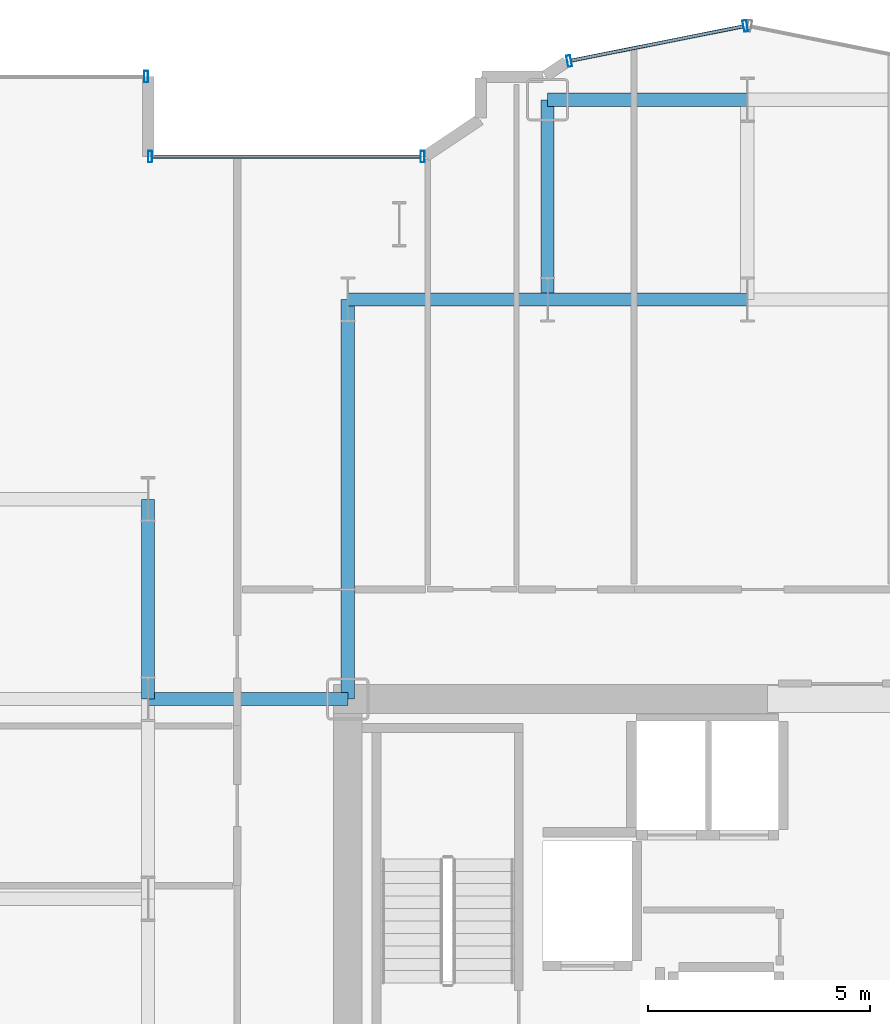
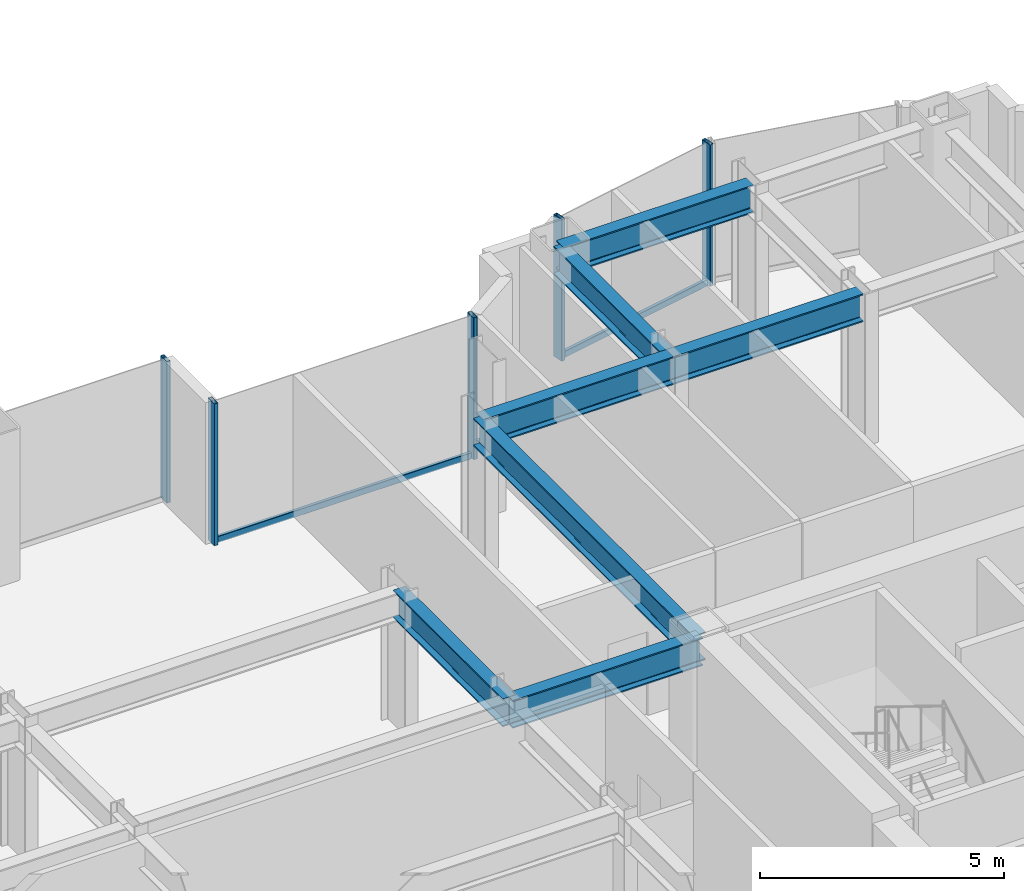
# One storey, part 10 of 25: 7 beams, 7 members, 3 elements without a shape of their own.
"""IFC4 building model written with IfcOpenShell, lengths in metres."""

import ifcopenshell
import ifcopenshell.guid

model = None  # the IFC model being written
_history = None  # IfcOwnerHistory: only IFC2X3 demands one
_inside = {}  # id of a spatial element -> (the spatial element, [elements in it])
_under = {}  # id of a project, library or spatial element -> (it, [spatial elements below it])
_declared = {}  # id of a project -> (the project, [libraries it declares])
_typed = {}  # id of a type object -> (the type object, [elements of that type])
_made_of = {}  # id of a material, layer set ... -> (it, [elements and type objects made of it])


def new_model(schema):
    """Start an empty IFC model of exactly this schema.

    Asked for "IFC4X3", IfcOpenShell would pick the latest addendum, in which some entities
    have other attributes; the version numbers below select the first issue.
    IFC2X3 requires an IfcOwnerHistory on every rooted entity: one is made here for all.
    """
    global model, _history
    if schema == "IFC4X3":
        model = ifcopenshell.file(schema_version=(4, 3, 0, 0))
    else:
        model = ifcopenshell.file(schema=schema)
    _inside.clear()
    _under.clear()
    _declared.clear()
    _typed.clear()
    _made_of.clear()
    _history = None
    if model.schema == "IFC2X3":
        org = make("IfcOrganization", Name="unknown")
        user = make(
            "IfcPersonAndOrganization",
            ThePerson=make("IfcPerson", FamilyName="unknown"),
            TheOrganization=org,
        )
        app = make(
            "IfcApplication",
            ApplicationDeveloper=org,
            Version="unknown",
            ApplicationFullName="unknown",
            ApplicationIdentifier="unknown",
        )
        _history = make(
            "IfcOwnerHistory",
            OwningUser=user,
            OwningApplication=app,
            ChangeAction="ADDED",
            CreationDate=0,
        )
    return model


def make(cls, **values):
    """One entity of the class cls with the attributes given. An attribute that is None is left unset."""
    return model.create_entity(
        cls, **{name: value for name, value in values.items() if value is not None}
    )


def rooted(cls, **values):
    """An entity with a GlobalId (a new one), such as an element, a storey or a relation."""
    return make(cls, GlobalId=ifcopenshell.guid.new(), OwnerHistory=_history, **values)


def si_unit(unit_type, name, prefix=None):
    """IfcSIUnit, for example si_unit("LENGTHUNIT", "METRE", prefix="MILLI")."""
    return make("IfcSIUnit", UnitType=unit_type, Prefix=prefix, Name=name)


def assignment(units):
    """IfcUnitAssignment: the units of a project."""
    return None if units is None else make("IfcUnitAssignment", Units=units)


def point(xyz):
    """IfcCartesianPoint."""
    return None if xyz is None else make("IfcCartesianPoint", Coordinates=xyz)


def direction(xyz):
    """IfcDirection."""
    return None if xyz is None else make("IfcDirection", DirectionRatios=xyz)


def frame(location, z_axis=None, x_axis=None):
    """IfcAxis2Placement3D, a coordinate frame: its origin and axes. An axis left out is left unset."""
    return make(
        "IfcAxis2Placement3D",
        Location=point(location),
        Axis=direction(z_axis),
        RefDirection=direction(x_axis),
    )


def frame_2d(location, x_axis=None):
    """IfcAxis2Placement2D, a coordinate frame in the plane: its origin and x axis."""
    return make(
        "IfcAxis2Placement2D", Location=point(location), RefDirection=direction(x_axis)
    )


def origin():
    """The frame at (0, 0, 0) with its axes left unset."""
    return frame((0.0, 0.0, 0.0))


def origin_2d():
    """The frame at (0, 0) in the plane with its x axis left unset."""
    return frame_2d((0.0, 0.0))


def place(relative_to, where):
    """IfcLocalPlacement: puts the frame where relative to a parent placement (None: the world)."""
    return make(
        "IfcLocalPlacement", PlacementRelTo=relative_to, RelativePlacement=where
    )


def context(
    kind, dimensions, precision=None, world=None, true_north=None, identifier=None
):
    """IfcGeometricRepresentationContext, for example the 3D "Model" context."""
    return make(
        "IfcGeometricRepresentationContext",
        ContextIdentifier=identifier,
        ContextType=kind,
        CoordinateSpaceDimension=dimensions,
        Precision=precision,
        WorldCoordinateSystem=world,
        TrueNorth=true_north,
    )


def subcontext(parent, identifier, kind, view, scale=None):
    """IfcGeometricRepresentationSubContext, for example "Body" below "Model"."""
    return make(
        "IfcGeometricRepresentationSubContext",
        ContextIdentifier=identifier,
        ContextType=kind,
        ParentContext=parent,
        TargetScale=scale,
        TargetView=view,
    )


def project(units=None, contexts=None):
    """IfcProject with its units and contexts."""
    return rooted(
        "IfcProject",
        Name="project",
        RepresentationContexts=contexts,
        UnitsInContext=assignment(units),
    )


def spatial(cls, under=None, at=None, **own):
    """A site, building, storey or space (cls), placed at a placement, below another one or the project."""
    s = rooted(cls, ObjectPlacement=at, **own)
    if under is not None:
        _under.setdefault(under.id(), (under, []))[1].append(s)
    return s


def profile(cls, at=None, kind="AREA", **sizes):
    """A parametric profile (cls). Its sizes go by their IFC names, for example OverallWidth=200.0."""
    return make(cls, ProfileType=kind, Position=at, **sizes)


def hollow_rectangle(**sizes):
    """IfcRectangleHollowProfileDef."""
    return profile("IfcRectangleHollowProfileDef", **sizes)


def i_section(**sizes):
    """IfcIShapeProfileDef."""
    return profile("IfcIShapeProfileDef", **sizes)


def extrude(swept, where, along, depth):
    """IfcExtrudedAreaSolid: the profile swept, set in the frame where, extruded along a direction by depth."""
    return make(
        "IfcExtrudedAreaSolid",
        SweptArea=swept,
        Position=where,
        ExtrudedDirection=direction(along),
        Depth=depth,
    )


def shape(context_of_items, identifier, shape_type, items):
    """IfcShapeRepresentation: the items that make up one representation, for example the "Body"."""
    return make(
        "IfcShapeRepresentation",
        ContextOfItems=context_of_items,
        RepresentationIdentifier=identifier,
        RepresentationType=shape_type,
        Items=items,
    )


def source(mapping_origin, context_of_items, identifier, shape_type, items):
    """IfcRepresentationMap: a shape defined once, which mapped items show again and again."""
    return make(
        "IfcRepresentationMap",
        MappingOrigin=mapping_origin,
        MappedRepresentation=shape(context_of_items, identifier, shape_type, items),
    )


def transform(
    local_origin,
    x_axis=None,
    y_axis=None,
    z_axis=None,
    scale=None,
    scale2=None,
    scale3=None,
    uniform=True,
):
    """IfcCartesianTransformationOperator3D, or its non-uniform kind. x_axis, y_axis, z_axis: its Axis1, 2, 3."""
    if uniform:
        return make(
            "IfcCartesianTransformationOperator3D",
            Axis1=direction(x_axis),
            Axis2=direction(y_axis),
            LocalOrigin=point(local_origin),
            Scale=scale,
            Axis3=direction(z_axis),
        )
    return make(
        "IfcCartesianTransformationOperator3DnonUniform",
        Axis1=direction(x_axis),
        Axis2=direction(y_axis),
        LocalOrigin=point(local_origin),
        Scale=scale,
        Axis3=direction(z_axis),
        Scale2=scale2,
        Scale3=scale3,
    )


def mapped(mapping_source, mapping_target):
    """IfcMappedItem: shows the shape of a source again, moved by a transform."""
    return make(
        "IfcMappedItem", MappingSource=mapping_source, MappingTarget=mapping_target
    )


def material(Name=None, Category=None):
    """IfcMaterial."""
    return make("IfcMaterial", Name=Name, Category=Category)


def layer(
    of_material, thickness, ventilated=None, Name=None, Category=None, Priority=None
):
    """IfcMaterialLayer: one layer of a wall or slab, of a material (None: an air gap)."""
    return make(
        "IfcMaterialLayer",
        Material=of_material,
        LayerThickness=thickness,
        IsVentilated=ventilated,
        Name=Name,
        Category=Category,
        Priority=Priority,
    )


def layer_set(layers, Name=None):
    """IfcMaterialLayerSet."""
    return make("IfcMaterialLayerSet", MaterialLayers=layers, LayerSetName=Name)


def material_profile(
    of_material, cross_section, Name=None, Category=None, Priority=None
):
    """IfcMaterialProfile: a cross section and its material."""
    return make(
        "IfcMaterialProfile",
        Name=Name,
        Material=of_material,
        Profile=cross_section,
        Priority=Priority,
        Category=Category,
    )


def profile_set(profiles, Name=None, composite=None):
    """IfcMaterialProfileSet."""
    return make(
        "IfcMaterialProfileSet",
        Name=Name,
        MaterialProfiles=profiles,
        CompositeProfile=composite,
    )


def made_of(thing, what):
    """Note that an element or type object is made of a material, layer set ...; save() writes the relation."""
    if what is not None:
        _made_of.setdefault(what.id(), (what, []))[1].append(thing)
    return thing


def type_object(cls, material=None, **own):
    """A type object (cls), such as IfcWallType, which elements share."""
    return made_of(rooted(cls, **own), material)


def element(
    cls,
    number,
    at=None,
    inside=None,
    cuts=None,
    type_object=None,
    material=None,
    context=None,
    identifier="Body",
    shape_type=None,
    held_by="IfcProductDefinitionShape",
    body=None,
    shapes=None,
    **own,
):
    """One element of the class cls, such as IfcWall. Its Tag is "e" and its number.

    at: its placement. inside: the storey or other place that contains it. cuts: it is an
    opening in that element (IfcRelVoidsElement). A single representation is given by context,
    identifier, shape_type and body (its items); several are given by shapes. held_by: the class
    of the entity that holds the representations. save() writes the other relations.
    """
    e = rooted(cls, Tag="e%d" % number, ObjectPlacement=at, **own)
    if body is not None:
        shapes = [shape(context, identifier, shape_type, body)]
    if shapes is not None:
        e.Representation = make(held_by, Representations=shapes)
    if inside is not None:
        _inside.setdefault(inside.id(), (inside, []))[1].append(e)
    if cuts is not None:
        rooted(
            "IfcRelVoidsElement", RelatingBuildingElement=cuts, RelatedOpeningElement=e
        )
    if type_object is not None:
        _typed.setdefault(type_object.id(), (type_object, []))[1].append(e)
    return made_of(e, material)


def aggregate(whole, parts):
    """IfcRelAggregates: a whole, such as a stair, and the parts it consists of."""
    return rooted("IfcRelAggregates", RelatingObject=whole, RelatedObjects=parts)


def save(model, path):
    """Write the relations noted so far, then the file.

    IfcRelAggregates (storeys below a building ...), IfcRelContainedInSpatialStructure (elements
    in a storey), IfcRelDefinesByType, IfcRelAssociatesMaterial and IfcRelDeclares: one each for
    every whole, place, type object, material and project.
    """
    for whole, parts in _under.values():
        aggregate(whole, parts)
    for where, things in _inside.values():
        rooted(
            "IfcRelContainedInSpatialStructure",
            RelatedElements=things,
            RelatingStructure=where,
        )
    for kind, things in _typed.values():
        rooted("IfcRelDefinesByType", RelatedObjects=things, RelatingType=kind)
    for what, things in _made_of.values():
        rooted("IfcRelAssociatesMaterial", RelatedObjects=things, RelatingMaterial=what)
    for by, libraries in _declared.values():
        rooted("IfcRelDeclares", RelatingContext=by, RelatedDefinitions=libraries)
    model.write(path)


model = new_model("IFC4")

# Units and contexts
model_context = context("Model", 3, precision=1e-05, world=origin(), true_north=direction((0.0, 1.0)))
body_context = subcontext(model_context, "Body", "Model", "MODEL_VIEW")
ifc_project = project(units=[si_unit("LENGTHUNIT", "METRE"), si_unit("AREAUNIT", "SQUARE_METRE"), si_unit("VOLUMEUNIT", "CUBIC_METRE"), si_unit("PLANEANGLEUNIT", "RADIAN"), si_unit("MASSUNIT", "GRAM", prefix="KILO")], contexts=[model_context])

# Site, building, storey
site_placement = place(None, origin())
site = spatial("IfcSite", under=ifc_project, at=site_placement, CompositionType="ELEMENT")
building_placement = place(site_placement, origin())
building = spatial("IfcBuilding", under=site, at=building_placement, Name="Nefas-Gora Pilgrimage Tower", CompositionType="ELEMENT")
storey_placement = place(building_placement, frame((0.0, 0.0, 52.0)))
storey = spatial("IfcBuildingStorey", under=building, at=storey_placement, Name="L11", CompositionType="ELEMENT", Elevation=52.0)

# Beams
ifc_material_1 = material(Name="Steel S355", Category="steel")
ifc_material_profile_1 = material_profile(ifc_material_1, i_section(OverallWidth=0.300048828125, OverallDepth=0.699951171875, WebThickness=0.01708984375, FlangeThickness=0.031982421875, FilletRadius=0.027099609375, at=origin_2d()), Name="HEB 700")
ifc_profile_set_1 = profile_set([ifc_material_profile_1], Name="Steel S355")
beam_type = type_object("IfcBeamType", Name="BM-GIR-HEB700", PredefinedType="BEAM", material=ifc_profile_set_1)
shared_shape_1 = source(origin(), body_context, "Body", "SweptSolid", [
    extrude(i_section(OverallWidth=0.300048828125, OverallDepth=0.699951171875, WebThickness=0.01708984375, FlangeThickness=0.031982421875, FilletRadius=0.027099609375, at=origin_2d()), origin(), (0.0, 0.0, 1.0), 9.0),
])
beam_placement = place(storey_placement, frame((-11.25, 9.0, 3.199951171875), z_axis=(0.0, 1.0, 0.0), x_axis=(-1.0, 0.0, 0.0)))
element("IfcBeam", 1, at=beam_placement, inside=storey, type_object=beam_type, Name="L11 G-02 beam", PredefinedType="BEAM", context=body_context, shape_type="MappedRepresentation", body=[
    mapped(shared_shape_1, transform((0.0, 0.0, 0.0), x_axis=(1.0, 0.0, 0.0), y_axis=(0.0, 1.0, 0.0), z_axis=(0.0, 0.0, 1.0), scale=1.0)),
])
shared_shape_2 = source(origin(), body_context, "Body", "SweptSolid", [
    extrude(i_section(OverallWidth=0.300048828125, OverallDepth=0.699951171875, WebThickness=0.01708984375, FlangeThickness=0.031982421875, FilletRadius=0.027099609375, at=origin_2d()), origin(), (0.0, 0.0, 1.0), 4.5),
])
for number, where, z_axis, x_axis, name in (
    (2, (-15.75, 9.0, 3.199951171875), (0.0, 1.0, 0.0), (-1.0, 0.0, 0.0), "L11 G-02 beam"),
    (3, (-15.75, 9.0, 3.199951171875), (1.0, 0.0, 0.0), (0.0, 1.0, 0.0), "L11 G-02 beam"),
    (4, (-11.25, 18.0, 3.199951171875), (1.0, 0.0, 0.0), (0.0, 1.0, 0.0), "L11 G-02 beam"),
    (5, (-6.75, 18.0, 3.199951171875), (0.0, 1.0, 0.0), (-1.0, 0.0, 0.0), "L11 G-02 beam"),
    (6, (-6.75, 18.0, 3.199951171875), (1.0, 0.0, 0.0), (0.0, 1.0, 0.0), "L11 G-02 beam"),
    (7, (-6.75, 22.5, 3.199951171875), (1.0, 0.0, 0.0), (0.0, 1.0, 0.0), "L11 G-02 beam"),
):
    element("IfcBeam", number, at=place(storey_placement, frame(where, z_axis=z_axis, x_axis=x_axis)), inside=storey, type_object=beam_type, Name=name, PredefinedType="BEAM", context=body_context, shape_type="MappedRepresentation", body=[
        mapped(shared_shape_2, transform((0.0, 0.0, 0.0), x_axis=(1.0, 0.0, 0.0), y_axis=(0.0, 1.0, 0.0), z_axis=(0.0, 0.0, 1.0), scale=1.0)),
    ])

# Curtain wall, members
ifc_material_2 = material(Name="Dark ceramic-fritted solar-control aluminium-glass curtain wall", Category="aluminium")
ifc_layer_1 = layer(ifc_material_2, 0.219970703125)
ifc_layer_set_1 = layer_set([ifc_layer_1], Name="Dark ceramic-fritted solar-control aluminium-glass curtain wall")
curtain_wall_type_1 = type_object("IfcCurtainWallType", Name="CW-SYS-5", PredefinedType="NOTDEFINED", material=ifc_layer_set_1)
curtain_wall_1_placement = place(storey_placement, origin())
curtain_wall_1 = element("IfcCurtainWall", 8, at=curtain_wall_1_placement, inside=storey, type_object=curtain_wall_type_1, Name="L11 Unitised Curtain Wall CW5", PredefinedType="NOTDEFINED")
ifc_material_3 = material(Name="Anodised architectural aluminium", Category="aluminium")
ifc_material_profile_2 = material_profile(ifc_material_3, hollow_rectangle(XDim=0.090087890625, YDim=0.260009765625, WallThickness=0.006103515625, InnerFilletRadius=0.006103515625, OuterFilletRadius=0.011962890625, at=origin_2d()), Name="ALU MULLION 90x260")
ifc_profile_set_2 = profile_set([ifc_material_profile_2], Name="Anodised architectural aluminium")
member_type_1 = type_object("IfcMemberType", Name="CWM-MUL-5", PredefinedType="MULLION", material=ifc_profile_set_2)
shared_shape_3 = source(origin(), body_context, "Body", "SweptSolid", [
    extrude(hollow_rectangle(XDim=0.090087890625, YDim=0.260009765625, WallThickness=0.006103515625, InnerFilletRadius=0.006103515625, OuterFilletRadius=0.011962890625, at=origin_2d()), origin(), (0.0, 0.0, 1.0), 3.550048828125),
])
member_1_placement = place(storey_placement, frame((-2.294189453125, 24.16357421875, 0.0), z_axis=(0.0, 0.0, 1.0), x_axis=(-0.980782896852, -0.195102304554, 0.0)))
member_1 = element("IfcMember", 9, at=member_1_placement, type_object=member_type_1, Name="CW5 Mullion 1", PredefinedType="MULLION", context=body_context, shape_type="MappedRepresentation", body=[
    mapped(shared_shape_3, transform((0.0, 0.0, 0.0), x_axis=(1.0, 0.0, 0.0), y_axis=(0.0, 1.0, 0.0), z_axis=(0.0, 0.0, 1.0), scale=1.0)),
])
member_2_placement = place(storey_placement, frame((-6.26318359375, 23.3740234375, 0.0), z_axis=(0.0, 0.0, 1.0), x_axis=(-0.980782896852, -0.195102304554, 0.0)))
member_2 = element("IfcMember", 10, at=member_2_placement, type_object=member_type_1, Name="CW5 Mullion 2", PredefinedType="MULLION", context=body_context, shape_type="MappedRepresentation", body=[
    mapped(shared_shape_3, transform((0.0, 0.0, 0.0), x_axis=(1.0, 0.0, 0.0), y_axis=(0.0, 1.0, 0.0), z_axis=(0.0, 0.0, 1.0), scale=1.0)),
])

curtain_wall_2_placement = place(storey_placement, origin())
curtain_wall_2 = element("IfcCurtainWall", 11, at=curtain_wall_2_placement, inside=storey, type_object=curtain_wall_type_1, Name="L11 Unitised Curtain Wall CW5", PredefinedType="NOTDEFINED")
member_3_placement = place(storey_placement, frame((-9.56298828125, 21.219970703125, 0.0), z_axis=(0.0, 0.0, 1.0), x_axis=(-1.0, 0.0, 0.0)))
member_3 = element("IfcMember", 12, at=member_3_placement, type_object=member_type_1, Name="CW5 Mullion 1", PredefinedType="MULLION", context=body_context, shape_type="MappedRepresentation", body=[
    mapped(shared_shape_3, transform((0.0, 0.0, 0.0), x_axis=(1.0, 0.0, 0.0), y_axis=(0.0, 1.0, 0.0), z_axis=(0.0, 0.0, 1.0), scale=1.0)),
])
member_4_placement = place(storey_placement, frame((-15.705078125, 21.219970703125, 0.0), z_axis=(0.0, 0.0, 1.0), x_axis=(-1.0, 0.0, 0.0)))
member_4 = element("IfcMember", 13, at=member_4_placement, type_object=member_type_1, Name="CW5 Mullion 2", PredefinedType="MULLION", context=body_context, shape_type="MappedRepresentation", body=[
    mapped(shared_shape_3, transform((0.0, 0.0, 0.0), x_axis=(1.0, 0.0, 0.0), y_axis=(0.0, 1.0, 0.0), z_axis=(0.0, 0.0, 1.0), scale=1.0)),
])
ifc_material_profile_3 = material_profile(ifc_material_3, hollow_rectangle(XDim=0.080078125, YDim=0.159912109375, WallThickness=0.00439453125, InnerFilletRadius=0.00439453125, OuterFilletRadius=0.009033203125, at=origin_2d()), Name="ALU TRANSOM 80x160")
ifc_profile_set_3 = profile_set([ifc_material_profile_3], Name="Anodised architectural aluminium")
member_type_2 = type_object("IfcMemberType", Name="CWM-TRN-5", PredefinedType="USERDEFINED", material=ifc_profile_set_3)
shared_shape_4 = source(origin(), body_context, "Body", "SweptSolid", [
    extrude(hollow_rectangle(XDim=0.080078125, YDim=0.159912109375, WallThickness=0.00439453125, InnerFilletRadius=0.00439453125, OuterFilletRadius=0.009033203125, at=origin_2d()), origin(), (0.0, 0.0, 1.0), 6.052001953125),
])
member_5_placement = place(storey_placement, frame((-9.60791015625, 21.219970703125, 0.050048828125), z_axis=(-1.0, 0.0, 0.0), x_axis=(0.0, -1.0, 0.0)))
member_5 = element("IfcMember", 14, at=member_5_placement, type_object=member_type_2, Name="CW5 Spandrel Transom", ObjectType="TRANSOM", PredefinedType="USERDEFINED", context=body_context, shape_type="MappedRepresentation", body=[
    mapped(shared_shape_4, transform((0.0, 0.0, 0.0), x_axis=(1.0, 0.0, 0.0), y_axis=(0.0, 1.0, 0.0), z_axis=(0.0, 0.0, 1.0), scale=1.0)),
])
aggregate(curtain_wall_2, [member_3, member_4, member_5])

# Curtain wall, member
ifc_layer_2 = layer(ifc_material_2, 0.219970703125)
ifc_layer_set_2 = layer_set([ifc_layer_2], Name="Dark ceramic-fritted solar-control aluminium-glass curtain wall")
curtain_wall_type_2 = type_object("IfcCurtainWallType", Name="CW-SYS-2", PredefinedType="NOTDEFINED", material=ifc_layer_set_2)
curtain_wall_3_placement = place(storey_placement, origin())
curtain_wall_3 = element("IfcCurtainWall", 15, at=curtain_wall_3_placement, inside=storey, type_object=curtain_wall_type_2, Name="L11 Unitised Curtain Wall CW2", PredefinedType="NOTDEFINED")
ifc_material_profile_4 = material_profile(ifc_material_3, hollow_rectangle(XDim=0.090087890625, YDim=0.260009765625, WallThickness=0.006103515625, InnerFilletRadius=0.006103515625, OuterFilletRadius=0.011962890625, at=origin_2d()), Name="ALU MULLION 90x260")
ifc_profile_set_4 = profile_set([ifc_material_profile_4], Name="Anodised architectural aluminium")
member_type_3 = type_object("IfcMemberType", Name="CWM-MUL-2", PredefinedType="MULLION", material=ifc_profile_set_4)
shared_shape_5 = source(origin(), body_context, "Body", "SweptSolid", [
    extrude(hollow_rectangle(XDim=0.090087890625, YDim=0.260009765625, WallThickness=0.006103515625, InnerFilletRadius=0.006103515625, OuterFilletRadius=0.011962890625, at=origin_2d()), origin(), (0.0, 0.0, 1.0), 3.550048828125),
])
member_6_placement = place(storey_placement, frame((-15.794921875, 23.02001953125, 0.0), z_axis=(0.0, 0.0, 1.0), x_axis=(-1.0, 0.0, 0.0)))
member_6 = element("IfcMember", 16, at=member_6_placement, type_object=member_type_3, Name="CW2 Mullion 1", PredefinedType="MULLION", context=body_context, shape_type="MappedRepresentation", body=[
    mapped(shared_shape_5, transform((0.0, 0.0, 0.0), x_axis=(1.0, 0.0, 0.0), y_axis=(0.0, 1.0, 0.0), z_axis=(0.0, 0.0, 1.0), scale=1.0)),
])
aggregate(curtain_wall_3, [member_6])

# Member
shared_shape_6 = source(origin(), body_context, "Body", "SweptSolid", [
    extrude(hollow_rectangle(XDim=0.080078125, YDim=0.159912109375, WallThickness=0.00439453125, InnerFilletRadius=0.00439453125, OuterFilletRadius=0.009033203125, at=origin_2d()), origin(), (0.0, 0.0, 1.0), 3.95654296875),
])
member_7_placement = place(storey_placement, frame((-2.33837890625, 24.15478515625, 0.050048828125), z_axis=(-0.980781880918, -0.195107411605, 0.0), x_axis=(0.195107411605, -0.980781880918, 0.0)))
member_7 = element("IfcMember", 17, at=member_7_placement, type_object=member_type_2, Name="CW5 Spandrel Transom", ObjectType="TRANSOM", PredefinedType="USERDEFINED", context=body_context, shape_type="MappedRepresentation", body=[
    mapped(shared_shape_6, transform((0.0, 0.0, 0.0), x_axis=(1.0, 0.0, 0.0), y_axis=(0.0, 1.0, 0.0), z_axis=(0.0, 0.0, 1.0), scale=1.0)),
])

aggregate(curtain_wall_1, [member_1, member_2, member_7])

save(model, "model.ifc")
